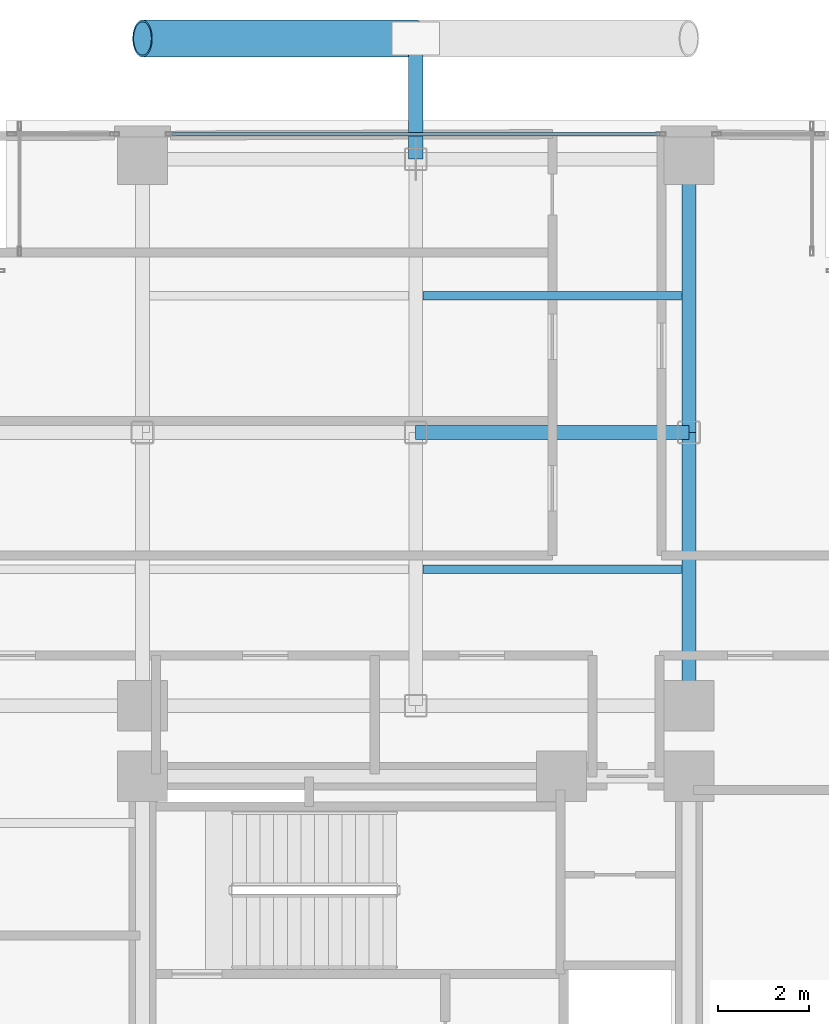
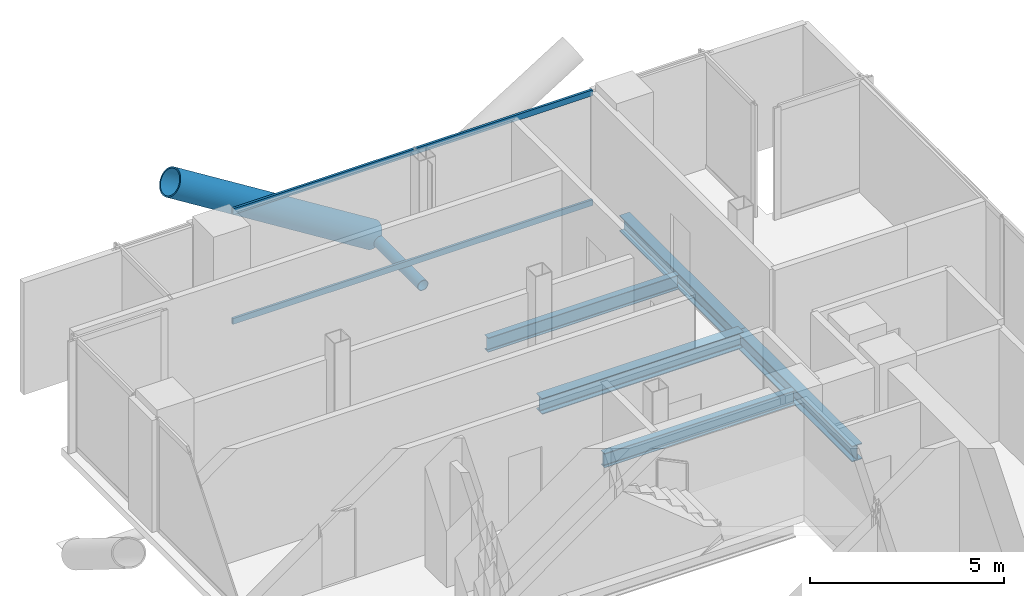
# One storey, part 15 of 24: 5 beams, 4 members, 1 element without a shape of its own.
"""IFC4 building model written with IfcOpenShell, lengths in metres."""

from ifc_helpers import new_model, si_unit, direction, frame, origin, origin_2d, place, context, subcontext, project, spatial, hollow_rectangle, hollow_circle, i_section, extrude, material, layer, layer_set, material_profile, profile_set, type_object, element, aggregate, save


model = new_model("IFC4")

# Units and contexts
model_context = context("Model", 3, precision=1e-05, world=origin(), true_north=direction((0.0, 1.0)))
body_context = subcontext(model_context, "Body", "Model", "MODEL_VIEW")
ifc_project = project(units=[si_unit("LENGTHUNIT", "METRE"), si_unit("AREAUNIT", "SQUARE_METRE"), si_unit("VOLUMEUNIT", "CUBIC_METRE"), si_unit("PLANEANGLEUNIT", "RADIAN"), si_unit("MASSUNIT", "GRAM", prefix="KILO"), si_unit("THERMODYNAMICTEMPERATUREUNIT", "KELVIN"), si_unit("POWERUNIT", "WATT")], contexts=[model_context])

# Site, building, storey
site_placement = place(None, origin())
site = spatial("IfcSite", under=ifc_project, at=site_placement, CompositionType="ELEMENT")
building_placement = place(site_placement, origin())
building = spatial("IfcBuilding", under=site, at=building_placement, Name="Svarakhadi Broadcast Tower", CompositionType="ELEMENT")
storey_placement = place(building_placement, frame((0.0, 0.0, 115.64990234375)))
storey = spatial("IfcBuildingStorey", under=building, at=storey_placement, Name="L27", CompositionType="ELEMENT", Elevation=115.64990234375)

# Beams
ifc_material_1 = material(Name="Steel S355J2 (IS 2062 E350C)", Category="steel")
ifc_material_profile_1 = material_profile(ifc_material_1, i_section(OverallWidth=0.18994140625, OverallDepth=0.449951171875, WebThickness=0.009521484375, FlangeThickness=0.0146484375, FilletRadius=0.02099609375, at=origin_2d()), Name="NPB 450x190x78")
ifc_profile_set_1 = profile_set([ifc_material_profile_1], Name="Steel S355J2 (IS 2062 E350C)")
beam_type_1 = type_object("IfcBeamType", Name="Beam_NPB450", PredefinedType="BEAM", material=ifc_profile_set_1)
for number, where, z_axis, x_axis, name in (
    (1, (12.159912109375, 32.14990234375, -0.449951171875), (1.0, 0.0, 0.0), (0.0, 1.0, 0.0), "L27 Secondary Composite Beam SB014"),
    (2, (12.159912109375, 38.14990234375, -0.449951171875), (1.0, 0.0, 0.0), (0.0, 1.0, 0.0), "L27 Secondary Composite Beam SB015"),
):
    element("IfcBeam", number, at=place(storey_placement, frame(where, z_axis=z_axis, x_axis=x_axis)), inside=storey, type_object=beam_type_1, Name=name, PredefinedType="BEAM", context=body_context, shape_type="SweptSolid", body=[
        extrude(i_section(OverallWidth=0.18994140625, OverallDepth=0.449951171875, WebThickness=0.009521484375, FlangeThickness=0.0146484375, FilletRadius=0.02099609375, at=origin_2d()), origin(), (0.0, 0.0, 1.0), 5.68017578125),
    ])

# Curtain wall, members
ifc_material_2 = material(Name="Anodised Bronze Aluminium AA 6063-T6", Category="aluminium")
ifc_layer = layer(ifc_material_2, 0.199951171875)
ifc_layer_set = layer_set([ifc_layer], Name="Anodised Bronze Aluminium AA 6063-T6")
curtain_wall_type = type_object("IfcCurtainWallType", Name="CW_Sys_03", PredefinedType="NOTDEFINED", material=ifc_layer_set)
curtain_wall_placement = place(storey_placement, origin())
curtain_wall = element("IfcCurtainWall", 3, at=curtain_wall_placement, inside=storey, type_object=curtain_wall_type, Name="L27 Unitised Facade Curtain Wall 06 Bay 2", PredefinedType="NOTDEFINED")
ifc_material_profile_2 = material_profile(ifc_material_2, hollow_rectangle(XDim=0.070068359375, YDim=0.18505859375, WallThickness=0.0048828125, at=origin_2d()), Name="ALU TRANSOM 185x70x5")
ifc_profile_set_2 = profile_set([ifc_material_profile_2], Name="Anodised Bronze Aluminium AA 6063-T6")
member_type_1 = type_object("IfcMemberType", Name="CW_Sys_03_Trn", PredefinedType="USERDEFINED", material=ifc_profile_set_2)
member_1_placement = place(storey_placement, frame((6.64501953125, 41.699951171875, 0.03515625), z_axis=(1.0, 0.0, 0.0), x_axis=(0.0, 1.0, 0.0)))
member_1 = element("IfcMember", 4, at=member_1_placement, type_object=member_type_1, Name="CW-03 transom 1.1", ObjectType="TRANSOM", PredefinedType="USERDEFINED", context=body_context, shape_type="SweptSolid", body=[
    extrude(hollow_rectangle(XDim=0.070068359375, YDim=0.18505859375, WallThickness=0.0048828125, at=origin_2d()), origin(), (0.0, 0.0, 1.0), 10.7099609375),
])
member_2_placement = place(storey_placement, frame((6.64501953125, 41.699951171875, 3.489990234375), z_axis=(1.0, 0.0, 0.0), x_axis=(0.0, 1.0, 0.0)))
member_2 = element("IfcMember", 5, at=member_2_placement, type_object=member_type_1, Name="CW-03 transom 1.2", ObjectType="TRANSOM", PredefinedType="USERDEFINED", context=body_context, shape_type="SweptSolid", body=[
    extrude(hollow_rectangle(XDim=0.070068359375, YDim=0.18505859375, WallThickness=0.0048828125, at=origin_2d()), origin(), (0.0, 0.0, 1.0), 10.7099609375),
])
aggregate(curtain_wall, [member_1, member_2])

# Members
ifc_material_3 = material(Name="Steel S460ML (IS 2062 E450BR)", Category="steel")
ifc_material_profile_3 = material_profile(ifc_material_3, hollow_circle(Radius=0.406494140625, WallThickness=0.0400390625, at=origin_2d()), Name="CHS 813x40")
ifc_profile_set_3 = profile_set([ifc_material_profile_3], Name="Steel S460ML (IS 2062 E450BR)")
member_type_2 = type_object("IfcMemberType", Name="Exo_Brace_CHS813", PredefinedType="BRACE", material=ifc_profile_set_3)
member_3_placement = place(storey_placement, frame((12.0, 43.800048828125, -0.386962890625), z_axis=(-0.847998304005, 0.0, 0.529998940003), x_axis=(0.0, -1.0, 0.0)))
element("IfcMember", 6, at=member_3_placement, inside=storey, type_object=member_type_2, Name="L27 Exposed Bronze Exoskeleton Diagonal N08", PredefinedType="BRACE", context=body_context, shape_type="SweptSolid", body=[
    extrude(hollow_circle(Radius=0.406494140625, WallThickness=0.0400390625, at=origin_2d()), origin(), (0.0, 0.0, 1.0), 7.075439453125),
])
ifc_material_profile_4 = material_profile(ifc_material_3, hollow_circle(Radius=0.161865234375, WallThickness=0.01611328125, at=origin_2d()), Name="CHS 323.9x16")
ifc_profile_set_4 = profile_set([ifc_material_profile_4], Name="Steel S460ML (IS 2062 E450BR)")
member_type_3 = type_object("IfcMemberType", Name="Exo_Radial_Strut_Z2", PredefinedType="STRUT", material=ifc_profile_set_4)
member_4_placement = place(storey_placement, frame((12.0, 43.800048828125, -0.386962890625), z_axis=(0.0, -1.0, 0.0), x_axis=(1.0, 0.0, 0.0)))
element("IfcMember", 7, at=member_4_placement, inside=storey, type_object=member_type_3, Name="L27 Exoskeleton Radial Tie Strut N06", PredefinedType="STRUT", context=body_context, shape_type="SweptSolid", body=[
    extrude(hollow_circle(Radius=0.161865234375, WallThickness=0.01611328125, at=origin_2d()), origin(), (0.0, 0.0, 1.0), 2.650146484375),
])

# Beams
ifc_material_profile_5 = material_profile(ifc_material_1, i_section(OverallWidth=0.300048828125, OverallDepth=0.5, WebThickness=0.014404296875, FlangeThickness=0.028076171875, FilletRadius=0.027099609375, at=origin_2d()), Name="WPB 500x300x187")
ifc_profile_set_5 = profile_set([ifc_material_profile_5], Name="Steel S355J2 (IS 2062 E350C)")
beam_type_2 = type_object("IfcBeamType", Name="Girder_WPB500", PredefinedType="USERDEFINED", material=ifc_profile_set_5)
for number, where, z_axis, x_axis, name in (
    (8, (12.0, 35.14990234375, -0.474853515625), (1.0, 0.0, 0.0), (0.0, 1.0, 0.0), "L27 Primary E-W Girder G037"),
    (9, (18.0, 29.14990234375, -0.474853515625), (0.0, 1.0, 0.0), (-1.0, 0.0, 0.0), "L27 Primary N-S Girder G060"),
    (10, (18.0, 35.14990234375, -0.474853515625), (0.0, 1.0, 0.0), (-1.0, 0.0, 0.0), "L27 Primary N-S Girder G061"),
):
    element("IfcBeam", number, at=place(storey_placement, frame(where, z_axis=z_axis, x_axis=x_axis)), inside=storey, type_object=beam_type_2, Name=name, ObjectType="GIRDER", PredefinedType="USERDEFINED", context=body_context, shape_type="SweptSolid", body=[
        extrude(i_section(OverallWidth=0.300048828125, OverallDepth=0.5, WebThickness=0.014404296875, FlangeThickness=0.028076171875, FilletRadius=0.027099609375, at=origin_2d()), origin(), (0.0, 0.0, 1.0), 6.0),
    ])

save(model, "model.ifc")
